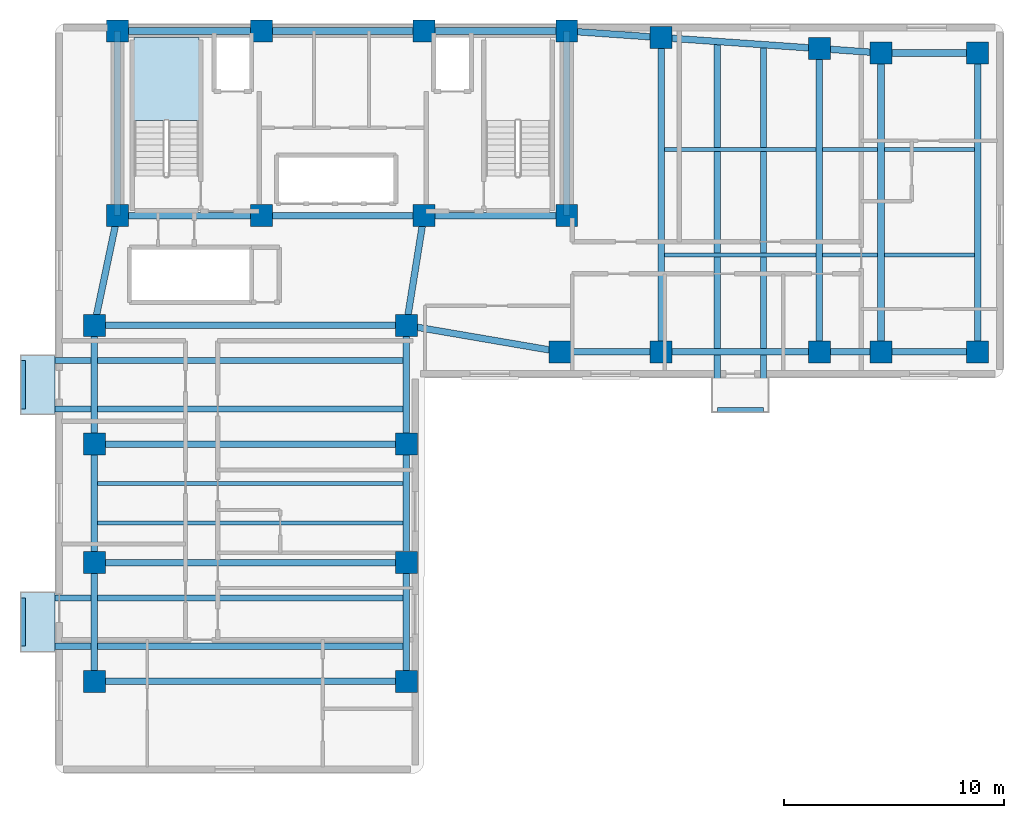
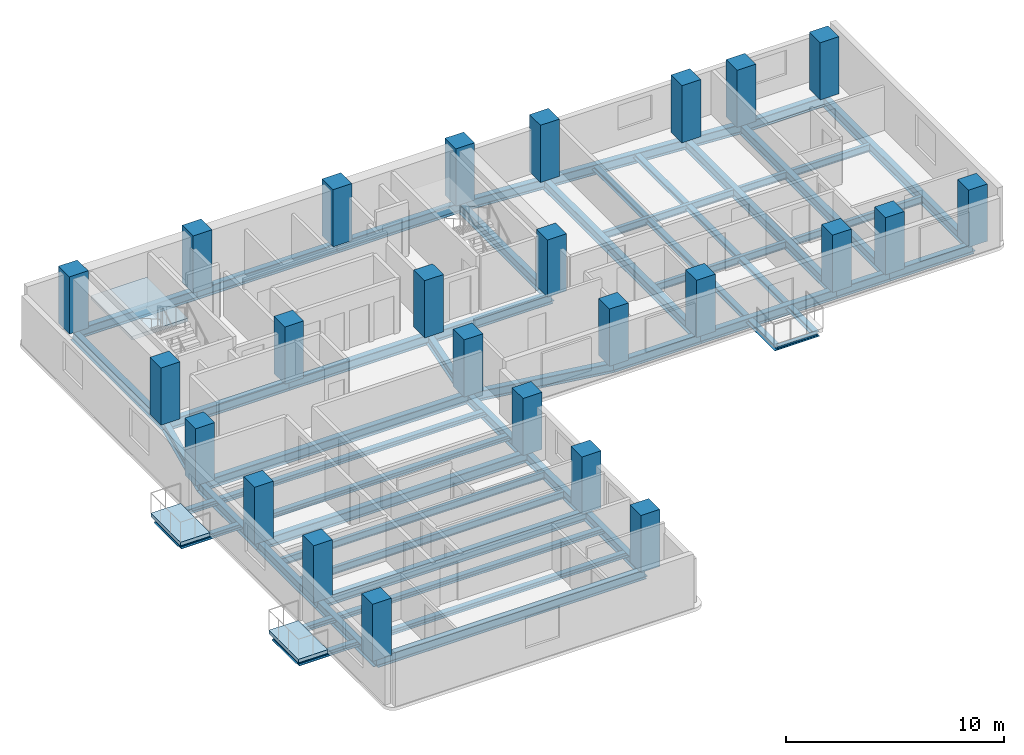
# One storey, part 1 of 7: 50 beams, 25 columns, 3 slabs, 1 element without a shape of its own.
"""IFC4 building model written with IfcOpenShell, lengths in metres."""

from ifc_helpers import new_model, si_unit, direction, frame, origin, origin_2d, place, context, subcontext, project, spatial, polyline, rectangle, i_section, outline, extrude, material, layer, layer_set, material_profile, profile_set, type_object, element, aggregate, save


model = new_model("IFC4")

# Units and contexts
model_context = context("Model", 3, precision=1e-05, world=origin(), true_north=direction((0.0, 1.0)))
body_context = subcontext(model_context, "Body", "Model", "MODEL_VIEW")
ifc_project = project(units=[si_unit("LENGTHUNIT", "METRE"), si_unit("AREAUNIT", "SQUARE_METRE"), si_unit("VOLUMEUNIT", "CUBIC_METRE"), si_unit("PLANEANGLEUNIT", "RADIAN"), si_unit("MASSUNIT", "GRAM", prefix="KILO")], contexts=[model_context])

# Site, building, storey
site_placement = place(None, origin())
site = spatial("IfcSite", under=ifc_project, at=site_placement, CompositionType="ELEMENT")
building_placement = place(site_placement, origin())
building = spatial("IfcBuilding", under=site, at=building_placement, Name="Kuzgunbayir Cultural Tower", CompositionType="ELEMENT")
storey_placement = place(building_placement, frame((0.0, 0.0, 142.60009765625)))
storey = spatial("IfcBuildingStorey", under=building, at=storey_placement, Name="L41", CompositionType="ELEMENT", Elevation=142.60009765625)

# Columns
ifc_material_1 = material(Name="Concrete C50/60", Category="concrete")
ifc_material_profile_1 = material_profile(ifc_material_1, rectangle(XDim=1.0, YDim=1.0, at=origin_2d()), Name="RC 1000x1000")
ifc_profile_set_1 = profile_set([ifc_material_profile_1], Name="Concrete C50/60")
column_type_1 = type_object("IfcColumnType", Name="COL-CORE-1000", PredefinedType="COLUMN", material=ifc_profile_set_1)
for number, where, z_axis, x_axis, name in (
    (1, (6.449951171875, 33.800048828125, 0.0), (0.0, 0.0, 1.0), (1.0, 0.0, 0.0), "L41 T1 Core Boundary Column CC1-1"),
    (2, (13.0, 33.800048828125, 0.0), (0.0, 0.0, 1.0), (1.0, 0.0, 0.0), "L41 T1 Core Boundary Column CC1-2"),
    (3, (20.39990234375, 33.800048828125, 0.0), (0.0, 0.0, 1.0), (1.0, 0.0, 0.0), "L41 T1 Core Boundary Column CC1-3"),
    (4, (26.89990234375, 33.800048828125, 0.0), (0.0, 0.0, 1.0), (1.0, 0.0, 0.0), "L41 T1 Core Boundary Column CC1-4"),
    (5, (6.449951171875, 42.199951171875, 0.0), (0.0, 0.0, 1.0), (1.0, 0.0, 0.0), "L41 T1 Core Boundary Column CC1-5"),
    (6, (13.0, 42.199951171875, 0.0), (0.0, 0.0, 1.0), (1.0, 0.0, 0.0), "L41 T1 Core Boundary Column CC1-6"),
    (7, (20.39990234375, 42.199951171875, 0.0), (0.0, 0.0, 1.0), (1.0, 0.0, 0.0), "L41 T1 Core Boundary Column CC1-7"),
    (8, (26.89990234375, 42.199951171875, 0.0), (0.0, 0.0, 1.0), (1.0, 0.0, 0.0), "L41 T1 Core Boundary Column CC1-8"),
):
    element("IfcColumn", number, at=place(storey_placement, frame(where, z_axis=z_axis, x_axis=x_axis)), inside=storey, type_object=column_type_1, Name=name, PredefinedType="COLUMN", context=body_context, shape_type="SweptSolid", body=[
        extrude(rectangle(XDim=1.0, YDim=1.0, at=origin_2d()), origin(), (0.0, 0.0, 1.0), 3.199951171875),
    ])
ifc_material_profile_2 = material_profile(ifc_material_1, rectangle(XDim=1.0, YDim=1.0, at=origin_2d()), Name="RC 1000x1000")
ifc_profile_set_2 = profile_set([ifc_material_profile_2], Name="Concrete C50/60")
column_type_2 = type_object("IfcColumnType", Name="COL-T1-1000", PredefinedType="COLUMN", material=ifc_profile_set_2)
for number, where, z_axis, x_axis, name in (
    (9, (5.39990234375, 12.60009765625, 0.0), (0.0, 0.0, 1.0), (1.0, 0.0, 0.0), "L41 Tower 1 Wing A Column T1A-W-1"),
    (10, (19.60009765625, 12.60009765625, 0.0), (0.0, 0.0, 1.0), (1.0, 0.0, 0.0), "L41 Tower 1 Wing A Column T1A-E-1"),
    (11, (5.39990234375, 18.0, 0.0), (0.0, 0.0, 1.0), (1.0, 0.0, 0.0), "L41 Tower 1 Wing A Column T1A-W-2"),
    (12, (19.60009765625, 18.0, 0.0), (0.0, 0.0, 1.0), (1.0, 0.0, 0.0), "L41 Tower 1 Wing A Column T1A-E-2"),
    (13, (5.39990234375, 23.39990234375, 0.0), (0.0, 0.0, 1.0), (1.0, 0.0, 0.0), "L41 Tower 1 Wing A Column T1A-W-3"),
    (14, (19.60009765625, 23.39990234375, 0.0), (0.0, 0.0, 1.0), (1.0, 0.0, 0.0), "L41 Tower 1 Wing A Column T1A-E-3"),
    (15, (5.39990234375, 28.800048828125, 0.0), (0.0, 0.0, 1.0), (1.0, 0.0, 0.0), "L41 Tower 1 Wing A Column T1A-W-4"),
    (16, (19.60009765625, 28.800048828125, 0.0), (0.0, 0.0, 1.0), (1.0, 0.0, 0.0), "L41 Tower 1 Wing A Column T1A-E-4"),
    (17, (26.60009765625, 27.60009765625, 0.0), (0.0, 0.0, 1.0), (1.0, 0.0, 0.0), "L41 Tower 1 Wing B Column T1B-1-1"),
    (18, (31.199951171875, 27.60009765625, 0.0), (0.0, 0.0, 1.0), (1.0, 0.0, 0.0), "L41 Tower 1 Wing B Column T1B-2-1"),
    (19, (31.199951171875, 41.89990234375, 0.0), (0.0, 0.0, 1.0), (1.0, 0.0, 0.0), "L41 Tower 1 Wing B Column T1B-2-2"),
    (20, (38.39990234375, 27.60009765625, 0.0), (0.0, 0.0, 1.0), (1.0, 0.0, 0.0), "L41 Tower 1 Wing B Column T1B-3-1"),
    (21, (38.39990234375, 41.39990234375, 0.0), (0.0, 0.0, 1.0), (1.0, 0.0, 0.0), "L41 Tower 1 Wing B Column T1B-3-2"),
    (22, (41.199951171875, 27.60009765625, 0.0), (0.0, 0.0, 1.0), (1.0, 0.0, 0.0), "L41 Tower 1 Wing B Column T1B-4-1"),
    (23, (41.199951171875, 41.199951171875, 0.0), (0.0, 0.0, 1.0), (1.0, 0.0, 0.0), "L41 Tower 1 Wing B Column T1B-4-2"),
    (24, (45.60009765625, 27.60009765625, 0.0), (0.0, 0.0, 1.0), (1.0, 0.0, 0.0), "L41 Tower 1 Wing B Column T1B-5-1"),
    (25, (45.60009765625, 41.199951171875, 0.0), (0.0, 0.0, 1.0), (1.0, 0.0, 0.0), "L41 Tower 1 Wing B Column T1B-5-2"),
):
    element("IfcColumn", number, at=place(storey_placement, frame(where, z_axis=z_axis, x_axis=x_axis)), inside=storey, type_object=column_type_2, Name=name, PredefinedType="COLUMN", context=body_context, shape_type="SweptSolid", body=[
        extrude(rectangle(XDim=1.0, YDim=1.0, at=origin_2d()), origin(), (0.0, 0.0, 1.0), 3.199951171875),
    ])

# Beams
ifc_material_2 = material(Name="Steel S355J2", Category="steel")
ifc_material_profile_3 = material_profile(ifc_material_2, i_section(OverallWidth=0.280029296875, OverallDepth=0.280029296875, WebThickness=0.010498046875, FlangeThickness=0.01806640625, FilletRadius=0.02392578125, at=origin_2d()), Name="HEB 280")
ifc_profile_set_3 = profile_set([ifc_material_profile_3], Name="Steel S355J2")
beam_type_1 = type_object("IfcBeamType", Name="BM-BAL-HEB280", PredefinedType="BEAM", material=ifc_profile_set_3)
for number, where, z_axis, x_axis, name in (
    (26, (2.159912109375, 14.199951171875, -0.340087890625), (1.0, 0.0, 0.0), (0.0, 1.0, 0.0), "L41 Balcony Outrigger Beam BAL-L41-WA1.1"),
    (27, (2.159912109375, 16.39990234375, -0.340087890625), (1.0, 0.0, 0.0), (0.0, 1.0, 0.0), "L41 Balcony Outrigger Beam BAL-L41-WA1.2"),
    (28, (2.159912109375, 25.0, -0.340087890625), (1.0, 0.0, 0.0), (0.0, 1.0, 0.0), "L41 Balcony Outrigger Beam BAL-L41-WA3.1"),
    (29, (2.159912109375, 27.199951171875, -0.340087890625), (1.0, 0.0, 0.0), (0.0, 1.0, 0.0), "L41 Balcony Outrigger Beam BAL-L41-WA3.2"),
):
    element("IfcBeam", number, at=place(storey_placement, frame(where, z_axis=z_axis, x_axis=x_axis)), inside=storey, type_object=beam_type_1, Name=name, PredefinedType="BEAM", context=body_context, shape_type="SweptSolid", body=[
        extrude(i_section(OverallWidth=0.280029296875, OverallDepth=0.280029296875, WebThickness=0.010498046875, FlangeThickness=0.01806640625, FilletRadius=0.02392578125, at=origin_2d()), origin(), (0.0, 0.0, 1.0), 17.440185546875),
    ])
beam_1_placement = place(storey_placement, frame((33.75, 24.9599609375, -0.340087890625), z_axis=(0.0, 1.0, 0.0), x_axis=(-1.0, 0.0, 0.0)))
element("IfcBeam", 30, at=beam_1_placement, inside=storey, type_object=beam_type_1, Name="L41 Balcony Outrigger Beam BAL-L41-WB2.1", PredefinedType="BEAM", context=body_context, shape_type="SweptSolid", body=[
    extrude(i_section(OverallWidth=0.280029296875, OverallDepth=0.280029296875, WebThickness=0.010498046875, FlangeThickness=0.01806640625, FilletRadius=0.02392578125, at=origin_2d()), origin(), (0.0, 0.0, 1.0), 16.760009765625),
])
beam_2_placement = place(storey_placement, frame((35.85009765625, 24.9599609375, -0.340087890625), z_axis=(0.0, 1.0, 0.0), x_axis=(-1.0, 0.0, 0.0)))
element("IfcBeam", 31, at=beam_2_placement, inside=storey, type_object=beam_type_1, Name="L41 Balcony Outrigger Beam BAL-L41-WB2.2", PredefinedType="BEAM", context=body_context, shape_type="SweptSolid", body=[
    extrude(i_section(OverallWidth=0.280029296875, OverallDepth=0.280029296875, WebThickness=0.010498046875, FlangeThickness=0.01806640625, FilletRadius=0.02392578125, at=origin_2d()), origin(), (0.0, 0.0, 1.0), 16.6201171875),
])
ifc_material_profile_4 = material_profile(ifc_material_2, i_section(OverallWidth=0.199951171875, OverallDepth=0.199951171875, WebThickness=0.009033203125, FlangeThickness=0.014892578125, FilletRadius=0.01806640625, at=origin_2d()), Name="HEB 200")
ifc_profile_set_4 = profile_set([ifc_material_profile_4], Name="Steel S355J2")
beam_type_2 = type_object("IfcBeamType", Name="BM-CAN-HEB200", PredefinedType="BEAM", material=ifc_profile_set_4)
for number, where, z_axis, x_axis, name in (
    (32, (2.159912109375, 14.199951171875, -0.300048828125), (0.0, 1.0, 0.0), (-1.0, 0.0, 0.0), "L41 Balcony Edge Header BAL-L41-WA1"),
    (33, (2.159912109375, 25.0, -0.300048828125), (0.0, 1.0, 0.0), (-1.0, 0.0, 0.0), "L41 Balcony Edge Header BAL-L41-WA3"),
):
    element("IfcBeam", number, at=place(storey_placement, frame(where, z_axis=z_axis, x_axis=x_axis)), inside=storey, type_object=beam_type_2, Name=name, PredefinedType="BEAM", context=body_context, shape_type="SweptSolid", body=[
        extrude(i_section(OverallWidth=0.199951171875, OverallDepth=0.199951171875, WebThickness=0.009033203125, FlangeThickness=0.014892578125, FilletRadius=0.01806640625, at=origin_2d()), origin(), (0.0, 0.0, 1.0), 2.199951171875),
    ])
beam_3_placement = place(storey_placement, frame((33.75, 24.9599609375, -0.300048828125), z_axis=(1.0, 0.0, 0.0), x_axis=(0.0, 1.0, 0.0)))
element("IfcBeam", 34, at=beam_3_placement, inside=storey, type_object=beam_type_2, Name="L41 Balcony Edge Header BAL-L41-WB2", PredefinedType="BEAM", context=body_context, shape_type="SweptSolid", body=[
    extrude(i_section(OverallWidth=0.199951171875, OverallDepth=0.199951171875, WebThickness=0.009033203125, FlangeThickness=0.014892578125, FilletRadius=0.01806640625, at=origin_2d()), origin(), (0.0, 0.0, 1.0), 2.10009765625),
])
ifc_material_profile_5 = material_profile(ifc_material_2, i_section(OverallWidth=0.300048828125, OverallDepth=0.550048828125, WebThickness=0.014892578125, FlangeThickness=0.029052734375, FilletRadius=0.027099609375, at=origin_2d()), Name="HEB 550")
ifc_profile_set_5 = profile_set([ifc_material_profile_5], Name="Steel S355J2")
beam_type_3 = type_object("IfcBeamType", Name="BM-EXT-HEB550", PredefinedType="BEAM", material=ifc_profile_set_5)
for number, where, z_axis, x_axis, name in (
    (35, (5.39990234375, 12.60009765625, -0.460205078125), (0.0, 1.0, 0.0), (-1.0, 0.0, 0.0), "L41 Wing A West Girder 1"),
    (36, (19.60009765625, 12.60009765625, -0.460205078125), (0.0, 1.0, 0.0), (-1.0, 0.0, 0.0), "L41 Wing A East Girder 1"),
    (37, (5.39990234375, 18.0, -0.460205078125), (0.0, 1.0, 0.0), (-1.0, 0.0, 0.0), "L41 Wing A West Girder 2"),
    (38, (19.60009765625, 18.0, -0.460205078125), (0.0, 1.0, 0.0), (-1.0, 0.0, 0.0), "L41 Wing A East Girder 2"),
):
    element("IfcBeam", number, at=place(storey_placement, frame(where, z_axis=z_axis, x_axis=x_axis)), inside=storey, type_object=beam_type_3, Name=name, PredefinedType="BEAM", context=body_context, shape_type="SweptSolid", body=[
        extrude(i_section(OverallWidth=0.300048828125, OverallDepth=0.550048828125, WebThickness=0.014892578125, FlangeThickness=0.029052734375, FilletRadius=0.027099609375, at=origin_2d()), origin(), (0.0, 0.0, 1.0), 5.39990234375),
    ])
for number, where, z_axis, x_axis, name in (
    (39, (5.39990234375, 23.39990234375, -0.460205078125), (0.0, 1.0, 0.0), (-1.0, 0.0, 0.0), "L41 Wing A West Girder 3"),
    (40, (19.60009765625, 23.39990234375, -0.460205078125), (0.0, 1.0, 0.0), (-1.0, 0.0, 0.0), "L41 Wing A East Girder 3"),
):
    element("IfcBeam", number, at=place(storey_placement, frame(where, z_axis=z_axis, x_axis=x_axis)), inside=storey, type_object=beam_type_3, Name=name, PredefinedType="BEAM", context=body_context, shape_type="SweptSolid", body=[
        extrude(i_section(OverallWidth=0.300048828125, OverallDepth=0.550048828125, WebThickness=0.014892578125, FlangeThickness=0.029052734375, FilletRadius=0.027099609375, at=origin_2d()), origin(), (0.0, 0.0, 1.0), 5.400146484375),
    ])
beam_4_placement = place(storey_placement, frame((26.60009765625, 27.60009765625, -0.460205078125), z_axis=(1.0, 0.0, 0.0), x_axis=(0.0, 1.0, 0.0)))
element("IfcBeam", 41, at=beam_4_placement, inside=storey, type_object=beam_type_3, Name="L41 Wing B South Girder 1", PredefinedType="BEAM", context=body_context, shape_type="SweptSolid", body=[
    extrude(i_section(OverallWidth=0.300048828125, OverallDepth=0.550048828125, WebThickness=0.014892578125, FlangeThickness=0.029052734375, FilletRadius=0.027099609375, at=origin_2d()), origin(), (0.0, 0.0, 1.0), 4.599853515625),
])
beam_5_placement = place(storey_placement, frame((26.89990234375, 42.199951171875, -0.460205078125), z_axis=(0.997574369175, -0.069608749203, 0.0), x_axis=(0.069608749203, 0.997574369175, 0.0)))
element("IfcBeam", 42, at=beam_5_placement, inside=storey, type_object=beam_type_3, Name="L41 Wing B North Girder 1", PredefinedType="BEAM", context=body_context, shape_type="SweptSolid", body=[
    extrude(i_section(OverallWidth=0.300048828125, OverallDepth=0.550048828125, WebThickness=0.014892578125, FlangeThickness=0.029052734375, FilletRadius=0.027099609375, at=origin_2d()), origin(), (0.0, 0.0, 1.0), 4.310546875),
])
beam_6_placement = place(storey_placement, frame((31.199951171875, 27.60009765625, -0.460205078125), z_axis=(1.0, 0.0, 0.0), x_axis=(0.0, 1.0, 0.0)))
element("IfcBeam", 43, at=beam_6_placement, inside=storey, type_object=beam_type_3, Name="L41 Wing B South Girder 2", PredefinedType="BEAM", context=body_context, shape_type="SweptSolid", body=[
    extrude(i_section(OverallWidth=0.300048828125, OverallDepth=0.550048828125, WebThickness=0.014892578125, FlangeThickness=0.029052734375, FilletRadius=0.027099609375, at=origin_2d()), origin(), (0.0, 0.0, 1.0), 7.199951171875),
])
beam_7_placement = place(storey_placement, frame((31.199951171875, 41.89990234375, -0.460205078125), z_axis=(0.997597388498, -0.069278066245, 0.0), x_axis=(0.069278066245, 0.997597388498, 0.0)))
element("IfcBeam", 44, at=beam_7_placement, inside=storey, type_object=beam_type_3, Name="L41 Wing B North Girder 2", PredefinedType="BEAM", context=body_context, shape_type="SweptSolid", body=[
    extrude(i_section(OverallWidth=0.300048828125, OverallDepth=0.550048828125, WebThickness=0.014892578125, FlangeThickness=0.029052734375, FilletRadius=0.027099609375, at=origin_2d()), origin(), (0.0, 0.0, 1.0), 7.21728515625),
])
beam_8_placement = place(storey_placement, frame((38.39990234375, 27.60009765625, -0.460205078125), z_axis=(1.0, 0.0, 0.0), x_axis=(0.0, 1.0, 0.0)))
element("IfcBeam", 45, at=beam_8_placement, inside=storey, type_object=beam_type_3, Name="L41 Wing B South Girder 3", PredefinedType="BEAM", context=body_context, shape_type="SweptSolid", body=[
    extrude(i_section(OverallWidth=0.300048828125, OverallDepth=0.550048828125, WebThickness=0.014892578125, FlangeThickness=0.029052734375, FilletRadius=0.027099609375, at=origin_2d()), origin(), (0.0, 0.0, 1.0), 2.800048828125),
])
beam_9_placement = place(storey_placement, frame((38.39990234375, 41.39990234375, -0.460205078125), z_axis=(0.997460024076, -0.071228508128, 0.0), x_axis=(0.071228508128, 0.997460024076, 0.0)))
element("IfcBeam", 46, at=beam_9_placement, inside=storey, type_object=beam_type_3, Name="L41 Wing B North Girder 3", PredefinedType="BEAM", context=body_context, shape_type="SweptSolid", body=[
    extrude(i_section(OverallWidth=0.300048828125, OverallDepth=0.550048828125, WebThickness=0.014892578125, FlangeThickness=0.029052734375, FilletRadius=0.027099609375, at=origin_2d()), origin(), (0.0, 0.0, 1.0), 2.80712890625),
])
for number, where, z_axis, x_axis, name in (
    (47, (41.199951171875, 27.60009765625, -0.460205078125), (1.0, 0.0, 0.0), (0.0, 1.0, 0.0), "L41 Wing B South Girder 4"),
    (48, (41.199951171875, 41.199951171875, -0.460205078125), (1.0, 0.0, 0.0), (0.0, 1.0, 0.0), "L41 Wing B North Girder 4"),
):
    element("IfcBeam", number, at=place(storey_placement, frame(where, z_axis=z_axis, x_axis=x_axis)), inside=storey, type_object=beam_type_3, Name=name, PredefinedType="BEAM", context=body_context, shape_type="SweptSolid", body=[
        extrude(i_section(OverallWidth=0.300048828125, OverallDepth=0.550048828125, WebThickness=0.014892578125, FlangeThickness=0.029052734375, FilletRadius=0.027099609375, at=origin_2d()), origin(), (0.0, 0.0, 1.0), 4.400146484375),
    ])
ifc_material_profile_6 = material_profile(ifc_material_2, i_section(OverallWidth=0.300048828125, OverallDepth=0.550048828125, WebThickness=0.014892578125, FlangeThickness=0.029052734375, FilletRadius=0.027099609375, at=origin_2d()), Name="HEB 550")
ifc_profile_set_6 = profile_set([ifc_material_profile_6], Name="Steel S355J2")
beam_type_4 = type_object("IfcBeamType", Name="BM-GIR-HEB550", PredefinedType="BEAM", material=ifc_profile_set_6)
beam_10_placement = place(storey_placement, frame((6.449951171875, 33.800048828125, -0.460205078125), z_axis=(1.0, 0.0, 0.0), x_axis=(0.0, 1.0, 0.0)))
element("IfcBeam", 49, at=beam_10_placement, inside=storey, type_object=beam_type_4, Name="L41 Core South Girder 1", PredefinedType="BEAM", context=body_context, shape_type="SweptSolid", body=[
    extrude(i_section(OverallWidth=0.300048828125, OverallDepth=0.550048828125, WebThickness=0.014892578125, FlangeThickness=0.029052734375, FilletRadius=0.027099609375, at=origin_2d()), origin(), (0.0, 0.0, 1.0), 6.550048828125),
])
beam_11_placement = place(storey_placement, frame((13.0, 33.800048828125, -0.460205078125), z_axis=(1.0, 0.0, 0.0), x_axis=(0.0, 1.0, 0.0)))
element("IfcBeam", 50, at=beam_11_placement, inside=storey, type_object=beam_type_4, Name="L41 Core South Girder 2", PredefinedType="BEAM", context=body_context, shape_type="SweptSolid", body=[
    extrude(i_section(OverallWidth=0.300048828125, OverallDepth=0.550048828125, WebThickness=0.014892578125, FlangeThickness=0.029052734375, FilletRadius=0.027099609375, at=origin_2d()), origin(), (0.0, 0.0, 1.0), 7.39990234375),
])
beam_12_placement = place(storey_placement, frame((20.39990234375, 33.800048828125, -0.460205078125), z_axis=(1.0, 0.0, 0.0), x_axis=(0.0, 1.0, 0.0)))
element("IfcBeam", 51, at=beam_12_placement, inside=storey, type_object=beam_type_4, Name="L41 Core South Girder 3", PredefinedType="BEAM", context=body_context, shape_type="SweptSolid", body=[
    extrude(i_section(OverallWidth=0.300048828125, OverallDepth=0.550048828125, WebThickness=0.014892578125, FlangeThickness=0.029052734375, FilletRadius=0.027099609375, at=origin_2d()), origin(), (0.0, 0.0, 1.0), 6.5),
])
beam_13_placement = place(storey_placement, frame((6.449951171875, 42.199951171875, -0.460205078125), z_axis=(1.0, 0.0, 0.0), x_axis=(0.0, 1.0, 0.0)))
element("IfcBeam", 52, at=beam_13_placement, inside=storey, type_object=beam_type_4, Name="L41 Core North Girder 1", PredefinedType="BEAM", context=body_context, shape_type="SweptSolid", body=[
    extrude(i_section(OverallWidth=0.300048828125, OverallDepth=0.550048828125, WebThickness=0.014892578125, FlangeThickness=0.029052734375, FilletRadius=0.027099609375, at=origin_2d()), origin(), (0.0, 0.0, 1.0), 6.550048828125),
])
beam_14_placement = place(storey_placement, frame((13.0, 42.199951171875, -0.460205078125), z_axis=(1.0, 0.0, 0.0), x_axis=(0.0, 1.0, 0.0)))
element("IfcBeam", 53, at=beam_14_placement, inside=storey, type_object=beam_type_4, Name="L41 Core North Girder 2", PredefinedType="BEAM", context=body_context, shape_type="SweptSolid", body=[
    extrude(i_section(OverallWidth=0.300048828125, OverallDepth=0.550048828125, WebThickness=0.014892578125, FlangeThickness=0.029052734375, FilletRadius=0.027099609375, at=origin_2d()), origin(), (0.0, 0.0, 1.0), 7.39990234375),
])
beam_15_placement = place(storey_placement, frame((20.39990234375, 42.199951171875, -0.460205078125), z_axis=(1.0, 0.0, 0.0), x_axis=(0.0, 1.0, 0.0)))
element("IfcBeam", 54, at=beam_15_placement, inside=storey, type_object=beam_type_4, Name="L41 Core North Girder 3", PredefinedType="BEAM", context=body_context, shape_type="SweptSolid", body=[
    extrude(i_section(OverallWidth=0.300048828125, OverallDepth=0.550048828125, WebThickness=0.014892578125, FlangeThickness=0.029052734375, FilletRadius=0.027099609375, at=origin_2d()), origin(), (0.0, 0.0, 1.0), 6.5),
])
for number, where, z_axis, x_axis, name in (
    (55, (6.449951171875, 33.800048828125, -0.460205078125), (0.0, 1.0, 0.0), (-1.0, 0.0, 0.0), "L41 Core West Edge Girder"),
    (56, (26.89990234375, 33.800048828125, -0.460205078125), (0.0, 1.0, 0.0), (-1.0, 0.0, 0.0), "L41 Core East Edge Girder"),
):
    element("IfcBeam", number, at=place(storey_placement, frame(where, z_axis=z_axis, x_axis=x_axis)), inside=storey, type_object=beam_type_4, Name=name, PredefinedType="BEAM", context=body_context, shape_type="SweptSolid", body=[
        extrude(i_section(OverallWidth=0.300048828125, OverallDepth=0.550048828125, WebThickness=0.014892578125, FlangeThickness=0.029052734375, FilletRadius=0.027099609375, at=origin_2d()), origin(), (0.0, 0.0, 1.0), 8.39990234375),
    ])
for number, where, z_axis, x_axis, name in (
    (57, (5.39990234375, 12.60009765625, -0.460205078125), (1.0, 0.0, 0.0), (0.0, 1.0, 0.0), "L41 Wing A Transverse Girder 1"),
    (58, (5.39990234375, 18.0, -0.460205078125), (1.0, 0.0, 0.0), (0.0, 1.0, 0.0), "L41 Wing A Transverse Girder 2"),
    (59, (5.39990234375, 23.39990234375, -0.460205078125), (1.0, 0.0, 0.0), (0.0, 1.0, 0.0), "L41 Wing A Transverse Girder 3"),
    (60, (5.39990234375, 28.800048828125, -0.460205078125), (1.0, 0.0, 0.0), (0.0, 1.0, 0.0), "L41 Wing A Transverse Girder 4"),
):
    element("IfcBeam", number, at=place(storey_placement, frame(where, z_axis=z_axis, x_axis=x_axis)), inside=storey, type_object=beam_type_4, Name=name, PredefinedType="BEAM", context=body_context, shape_type="SweptSolid", body=[
        extrude(i_section(OverallWidth=0.300048828125, OverallDepth=0.550048828125, WebThickness=0.014892578125, FlangeThickness=0.029052734375, FilletRadius=0.027099609375, at=origin_2d()), origin(), (0.0, 0.0, 1.0), 14.2001953125),
    ])
beam_16_placement = place(storey_placement, frame((5.39990234375, 28.800048828125, -0.460205078125), z_axis=(0.205526387753, 0.978651574329, 0.0), x_axis=(-0.978651574329, 0.205526387753, 0.0)))
element("IfcBeam", 61, at=beam_16_placement, inside=storey, type_object=beam_type_4, Name="L41 Wing A West Core Floor Girder", PredefinedType="BEAM", context=body_context, shape_type="SweptSolid", body=[
    extrude(i_section(OverallWidth=0.300048828125, OverallDepth=0.550048828125, WebThickness=0.014892578125, FlangeThickness=0.029052734375, FilletRadius=0.027099609375, at=origin_2d()), origin(), (0.0, 0.0, 1.0), 5.109130859375),
])
beam_17_placement = place(storey_placement, frame((19.60009765625, 28.800048828125, -0.460205078125), z_axis=(0.157952891656, 0.987446648694, 0.0), x_axis=(-0.987446648694, 0.157952891656, 0.0)))
element("IfcBeam", 62, at=beam_17_placement, inside=storey, type_object=beam_type_4, Name="L41 Wing A East Core Floor Girder", PredefinedType="BEAM", context=body_context, shape_type="SweptSolid", body=[
    extrude(i_section(OverallWidth=0.300048828125, OverallDepth=0.550048828125, WebThickness=0.014892578125, FlangeThickness=0.029052734375, FilletRadius=0.027099609375, at=origin_2d()), origin(), (0.0, 0.0, 1.0), 5.0634765625),
])
beam_18_placement = place(storey_placement, frame((31.199951171875, 27.60009765625, -0.460205078125), z_axis=(0.0, 1.0, 0.0), x_axis=(-1.0, 0.0, 0.0)))
element("IfcBeam", 63, at=beam_18_placement, inside=storey, type_object=beam_type_4, Name="L41 Wing B Cross Girder 31", PredefinedType="BEAM", context=body_context, shape_type="SweptSolid", body=[
    extrude(i_section(OverallWidth=0.300048828125, OverallDepth=0.550048828125, WebThickness=0.014892578125, FlangeThickness=0.029052734375, FilletRadius=0.027099609375, at=origin_2d()), origin(), (0.0, 0.0, 1.0), 14.2998046875),
])
beam_19_placement = place(storey_placement, frame((38.39990234375, 27.60009765625, -0.460205078125), z_axis=(0.0, 1.0, 0.0), x_axis=(-1.0, 0.0, 0.0)))
element("IfcBeam", 64, at=beam_19_placement, inside=storey, type_object=beam_type_4, Name="L41 Wing B Cross Girder 38", PredefinedType="BEAM", context=body_context, shape_type="SweptSolid", body=[
    extrude(i_section(OverallWidth=0.300048828125, OverallDepth=0.550048828125, WebThickness=0.014892578125, FlangeThickness=0.029052734375, FilletRadius=0.027099609375, at=origin_2d()), origin(), (0.0, 0.0, 1.0), 13.7998046875),
])
for number, where, z_axis, x_axis, name in (
    (65, (41.199951171875, 27.60009765625, -0.460205078125), (0.0, 1.0, 0.0), (-1.0, 0.0, 0.0), "L41 Wing B Cross Girder 41"),
    (66, (45.60009765625, 27.60009765625, -0.460205078125), (0.0, 1.0, 0.0), (-1.0, 0.0, 0.0), "L41 Wing B Cross Girder 45"),
):
    element("IfcBeam", number, at=place(storey_placement, frame(where, z_axis=z_axis, x_axis=x_axis)), inside=storey, type_object=beam_type_4, Name=name, PredefinedType="BEAM", context=body_context, shape_type="SweptSolid", body=[
        extrude(i_section(OverallWidth=0.300048828125, OverallDepth=0.550048828125, WebThickness=0.014892578125, FlangeThickness=0.029052734375, FilletRadius=0.027099609375, at=origin_2d()), origin(), (0.0, 0.0, 1.0), 13.599853515625),
    ])
beam_20_placement = place(storey_placement, frame((19.60009765625, 28.800048828125, -0.460205078125), z_axis=(0.985623399742, -0.168957136221, 0.0), x_axis=(0.168957136221, 0.985623399742, 0.0)))
element("IfcBeam", 67, at=beam_20_placement, inside=storey, type_object=beam_type_4, Name="L41 Wing B Waist Tie Girder", PredefinedType="BEAM", context=body_context, shape_type="SweptSolid", body=[
    extrude(i_section(OverallWidth=0.300048828125, OverallDepth=0.550048828125, WebThickness=0.014892578125, FlangeThickness=0.029052734375, FilletRadius=0.027099609375, at=origin_2d()), origin(), (0.0, 0.0, 1.0), 7.10205078125),
])
ifc_material_profile_7 = material_profile(ifc_material_2, i_section(OverallWidth=0.179931640625, OverallDepth=0.39990234375, WebThickness=0.008544921875, FlangeThickness=0.013427734375, FilletRadius=0.02099609375, at=origin_2d()), Name="IPE 400")
ifc_profile_set_7 = profile_set([ifc_material_profile_7], Name="Steel S355J2")
beam_type_5 = type_object("IfcBeamType", Name="BM-JST-IPE400", PredefinedType="JOIST", material=ifc_profile_set_7)
for number, where, z_axis, x_axis, name in (
    (68, (5.550048828125, 19.800048828125, -0.380126953125), (1.0, 0.0, 0.0), (0.0, 1.0, 0.0), "L41 Wing A Secondary Joist 3"),
    (69, (5.550048828125, 21.60009765625, -0.380126953125), (1.0, 0.0, 0.0), (0.0, 1.0, 0.0), "L41 Wing A Secondary Joist 4"),
):
    element("IfcBeam", number, at=place(storey_placement, frame(where, z_axis=z_axis, x_axis=x_axis)), inside=storey, type_object=beam_type_5, Name=name, PredefinedType="JOIST", context=body_context, shape_type="SweptSolid", body=[
        extrude(i_section(OverallWidth=0.179931640625, OverallDepth=0.39990234375, WebThickness=0.008544921875, FlangeThickness=0.013427734375, FilletRadius=0.02099609375, at=origin_2d()), origin(), (0.0, 0.0, 1.0), 13.89990234375),
    ])
for number, where, z_axis, x_axis, name in (
    (70, (31.35009765625, 32.0, -0.380126953125), (1.0, 0.0, 0.0), (0.0, 1.0, 0.0), "L41 Wing B Secondary Joist 1.1"),
    (71, (31.35009765625, 36.800048828125, -0.380126953125), (1.0, 0.0, 0.0), (0.0, 1.0, 0.0), "L41 Wing B Secondary Joist 1.2"),
):
    element("IfcBeam", number, at=place(storey_placement, frame(where, z_axis=z_axis, x_axis=x_axis)), inside=storey, type_object=beam_type_5, Name=name, PredefinedType="JOIST", context=body_context, shape_type="SweptSolid", body=[
        extrude(i_section(OverallWidth=0.179931640625, OverallDepth=0.39990234375, WebThickness=0.008544921875, FlangeThickness=0.013427734375, FilletRadius=0.02099609375, at=origin_2d()), origin(), (0.0, 0.0, 1.0), 6.89990234375),
    ])
for number, where, z_axis, x_axis, name in (
    (72, (38.550048828125, 32.0, -0.380126953125), (1.0, 0.0, 0.0), (0.0, 1.0, 0.0), "L41 Wing B Secondary Joist 2.1"),
    (73, (38.550048828125, 36.800048828125, -0.380126953125), (1.0, 0.0, 0.0), (0.0, 1.0, 0.0), "L41 Wing B Secondary Joist 2.2"),
):
    element("IfcBeam", number, at=place(storey_placement, frame(where, z_axis=z_axis, x_axis=x_axis)), inside=storey, type_object=beam_type_5, Name=name, PredefinedType="JOIST", context=body_context, shape_type="SweptSolid", body=[
        extrude(i_section(OverallWidth=0.179931640625, OverallDepth=0.39990234375, WebThickness=0.008544921875, FlangeThickness=0.013427734375, FilletRadius=0.02099609375, at=origin_2d()), origin(), (0.0, 0.0, 1.0), 2.5),
    ])
for number, where, z_axis, x_axis, name in (
    (74, (41.35009765625, 32.0, -0.380126953125), (1.0, 0.0, 0.0), (0.0, 1.0, 0.0), "L41 Wing B Secondary Joist 3.1"),
    (75, (41.35009765625, 36.800048828125, -0.380126953125), (1.0, 0.0, 0.0), (0.0, 1.0, 0.0), "L41 Wing B Secondary Joist 3.2"),
):
    element("IfcBeam", number, at=place(storey_placement, frame(where, z_axis=z_axis, x_axis=x_axis)), inside=storey, type_object=beam_type_5, Name=name, PredefinedType="JOIST", context=body_context, shape_type="SweptSolid", body=[
        extrude(i_section(OverallWidth=0.179931640625, OverallDepth=0.39990234375, WebThickness=0.008544921875, FlangeThickness=0.013427734375, FilletRadius=0.02099609375, at=origin_2d()), origin(), (0.0, 0.0, 1.0), 4.099853515625),
    ])

# Slabs
ifc_material_3 = material(Name="Concrete C40/50", Category="concrete")
ifc_layer_1 = layer(ifc_material_3, 0.199951171875)
ifc_layer_set_1 = layer_set([ifc_layer_1], Name="Concrete C40/50")
slab_type_1 = type_object("IfcSlabType", Name="SLB-BAL-STONE", PredefinedType="FLOOR", material=ifc_layer_set_1)
slab_1_placement = place(storey_placement, frame((0.0, 0.0, -0.2001953125)))
element("IfcSlab", 76, at=slab_1_placement, inside=storey, type_object=slab_type_1, Name="L41 Projecting Limestone Balcony BAL-L41-WA1", PredefinedType="FLOOR", context=body_context, shape_type="SweptSolid", body=[
    extrude(outline(polyline([(2.0400390625, 13.949951171875), (3.60009765625, 13.949951171875), (3.60009765625, 16.64990234375), (2.0400390625, 16.64990234375), (2.0400390625, 13.949951171875)])), origin(), (0.0, 0.0, 1.0), 0.2001953125),
])
slab_2_placement = place(storey_placement, frame((0.0, 0.0, -0.2001953125)))
element("IfcSlab", 77, at=slab_2_placement, inside=storey, type_object=slab_type_1, Name="L41 Projecting Limestone Balcony BAL-L41-WA3", PredefinedType="FLOOR", context=body_context, shape_type="SweptSolid", body=[
    extrude(outline(polyline([(2.0400390625, 24.75), (3.60009765625, 24.75), (3.60009765625, 27.449951171875), (2.0400390625, 27.449951171875), (2.0400390625, 24.75)])), origin(), (0.0, 0.0, 1.0), 0.2001953125),
])

# Stair, slab
stair_type = type_object("IfcStairType", Name="STR-EXIT-CORE", PredefinedType="HALF_TURN_STAIR", material=ifc_material_3)
stair_placement = place(storey_placement, origin())
stair = element("IfcStair", 78, at=stair_placement, inside=storey, type_object=stair_type, Name="L41 ST-1", PredefinedType="HALF_TURN_STAIR")
ifc_layer_2 = layer(ifc_material_3, 0.179931640625)
ifc_layer_set_2 = layer_set([ifc_layer_2], Name="Concrete C40/50")
slab_type_2 = type_object("IfcSlabType", Name="SLB-LANDING-180", PredefinedType="LANDING", material=ifc_layer_set_2)
slab_3_placement = place(storey_placement, frame((0.0, 0.0, 1.39990234375)))
slab_3 = element("IfcSlab", 79, at=slab_3_placement, type_object=slab_type_2, Name="ST-1 landing 1", PredefinedType="LANDING", context=body_context, shape_type="SweptSolid", body=[
    extrude(outline(polyline([(10.159912109375, 38.1201171875), (10.159912109375, 41.89990234375), (7.199951171875, 41.89990234375), (7.199951171875, 38.1201171875), (10.159912109375, 38.1201171875)])), origin(), (0.0, 0.0, 1.0), 0.199951171875),
])
aggregate(stair, [slab_3])

save(model, "model.ifc")
